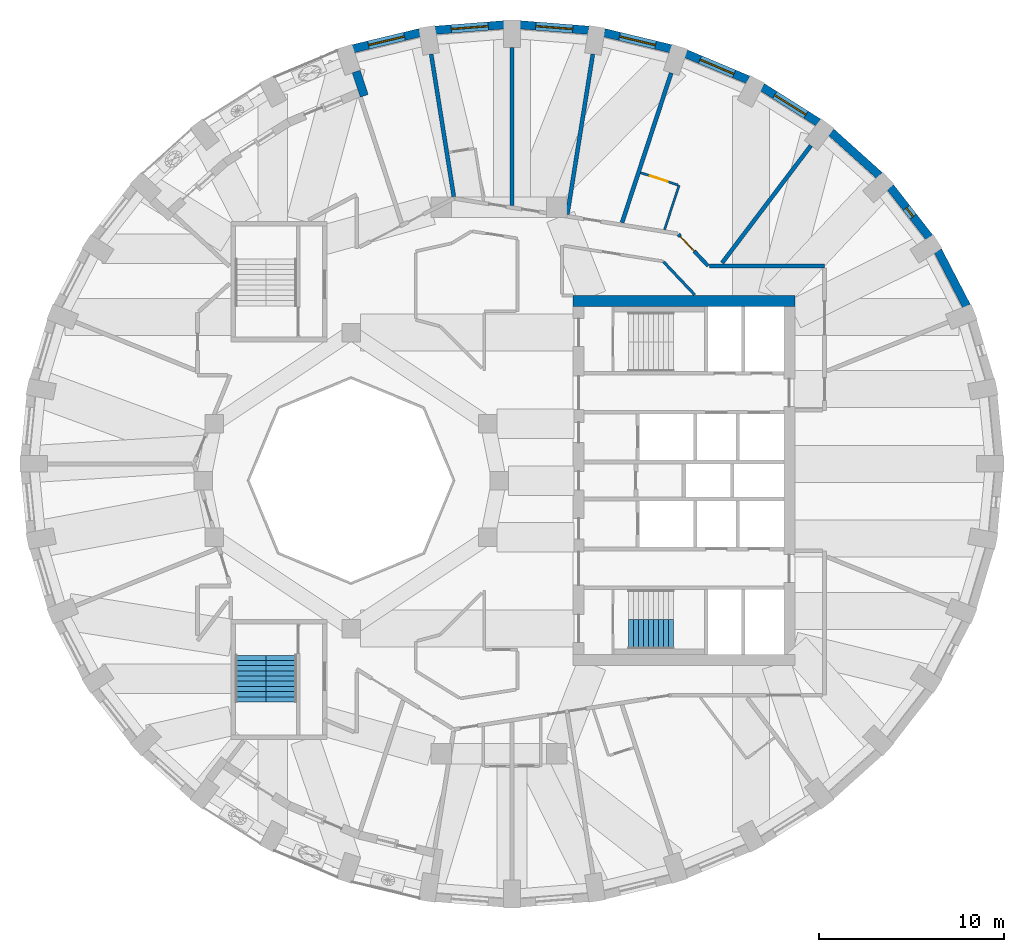
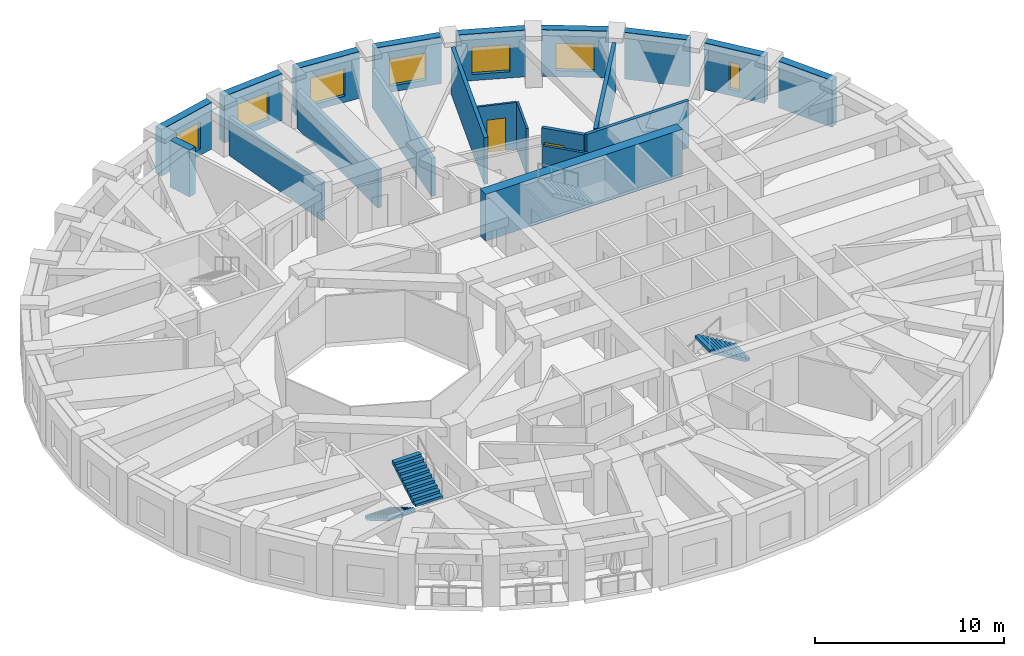
# One storey, part 8 of 12: 21 walls, 7 windows, 3 stair flights, 2 doors, 9 openings, 2 elements without a shape of their own.
"""IFC4 building model written with IfcOpenShell, lengths in metres."""

from ifc_helpers import new_model, si_unit, direction, frame, frame_2d, origin, place, context, subcontext, project, spatial, polyline, rectangle, outline, extrude, material, layer, layer_set, type_object, element, fill, aggregate, save


model = new_model("IFC4")

# Units and contexts
model_context = context("Model", 3, precision=1e-05, world=origin(), true_north=direction((0.0, 1.0)))
body_context = subcontext(model_context, "Body", "Model", "MODEL_VIEW")
ifc_project = project(units=[si_unit("LENGTHUNIT", "METRE"), si_unit("AREAUNIT", "SQUARE_METRE"), si_unit("VOLUMEUNIT", "CUBIC_METRE"), si_unit("PLANEANGLEUNIT", "RADIAN"), si_unit("MASSUNIT", "GRAM", prefix="KILO")], contexts=[model_context])

# Site, building, storey
site_placement = place(None, origin())
site = spatial("IfcSite", under=ifc_project, at=site_placement, CompositionType="ELEMENT")
building_placement = place(site_placement, origin())
building = spatial("IfcBuilding", under=site, at=building_placement, Name="Taillehof Tower", CompositionType="ELEMENT")
storey_placement = place(building_placement, frame((0.0, 0.0, 215.60009765625)))
storey = spatial("IfcBuildingStorey", under=building, at=storey_placement, Name="L61", CompositionType="ELEMENT", Elevation=215.60009765625)

# Wall
ifc_material_1 = material(Name="Brick masonry", Category="masonry")
ifc_layer_1 = layer(ifc_material_1, 0.449951171875)
ifc_layer_set_1 = layer_set([ifc_layer_1], Name="Brick infill wall 450")
wall_type_1 = type_object("IfcWallType", Name="Brick infill wall 450", PredefinedType="SOLIDWALL", material=ifc_layer_set_1)
wall_1_placement = place(storey_placement, frame((25.278076171875, 9.431640625, 0.0), z_axis=(0.0, 0.0, 1.0), x_axis=(-0.460175500475, 0.887827972505, 0.0)))
element("IfcWall", 1, at=wall_1_placement, inside=storey, type_object=wall_type_1, Name="Brick wall L61 bay 3", PredefinedType="SOLIDWALL", context=body_context, shape_type="SweptSolid", body=[
    extrude(rectangle(XDim=3.37060546875, YDim=0.449951171875, at=frame_2d((1.685302734375, 0.0))), origin(), (0.0, 0.0, 1.0), 3.02001953125),
])

# Wall, opening, window
wall_2_placement = place(storey_placement, frame((23.262939453125, 13.148193359375, 0.0), z_axis=(0.0, 0.0, 1.0), x_axis=(-0.614220816451, 0.789134201919, 0.0)))
wall_2 = element("IfcWall", 2, at=wall_2_placement, inside=storey, type_object=wall_type_1, Name="Brick wall L61 bay 4", PredefinedType="SOLIDWALL", context=body_context, shape_type="SweptSolid", body=[
    extrude(rectangle(XDim=3.437744140625, YDim=0.449951171875, at=frame_2d((1.71875, 0.0))), origin(), (0.0, 0.0, 1.0), 3.02001953125),
])
opening_1_placement = place(wall_2_placement, frame((1.4189453125, 0.0, 0.39990234375)))
opening_1 = element("IfcOpeningElement", 3, at=opening_1_placement, cuts=wall_2, Name="Opening W6", PredefinedType="OPENING", context=body_context, shape_type="SweptSolid", body=[
    extrude(rectangle(XDim=0.60009765625, YDim=1.75, at=frame_2d((0.300048828125, 0.875))), frame((0.0, 0.23486328125, 0.0), z_axis=(0.0, -1.0, 0.0), x_axis=(1.0, 0.0, 0.0)), (0.0, 0.0, 1.0), 0.469970703125),
])
ifc_material_2 = material(Name="Aluminium window frame with clear double glazing", Category="aluminium")
window_type_1 = type_object("IfcWindowType", Name="Slot window 600x1750", PartitioningType="SINGLE_PANEL", PredefinedType="WINDOW", material=ifc_material_2)
window_1_placement = place(opening_1_placement, origin())
window_1 = element("IfcWindow", 4, at=window_1_placement, inside=storey, type_object=window_type_1, Name="W6", OverallHeight=1.75, OverallWidth=0.60009765625, PartitioningType="SINGLE_PANEL", PredefinedType="WINDOW", context=body_context, shape_type="SweptSolid", body=[
    extrude(rectangle(XDim=0.60009765625, YDim=1.75, at=frame_2d((0.300048828125, 0.875))), frame((0.0, 0.034912109375, 0.0), z_axis=(0.0, -1.0, 0.0), x_axis=(1.0, 0.0, 0.0)), (0.0, 0.0, 1.0), 0.06005859375),
])
fill(opening_1, window_1)

# Wall
wall_3_placement = place(storey_placement, frame((20.56494140625, 16.490478515625, 0.0), z_axis=(0.0, 0.0, 1.0), x_axis=(-0.743442727602, 0.668799604348, 0.0)))
element("IfcWall", 5, at=wall_3_placement, inside=storey, type_object=wall_type_1, Name="Brick wall L61 bay 5", PredefinedType="SOLIDWALL", context=body_context, shape_type="SweptSolid", body=[
    extrude(rectangle(XDim=3.5126953125, YDim=0.449951171875, at=frame_2d((1.75634765625, 0.0))), origin(), (0.0, 0.0, 1.0), 3.02001953125),
])

# Wall, opening, window
wall_4_placement = place(storey_placement, frame((17.26708984375, 19.3583984375, 0.0), z_axis=(0.0, 0.0, 1.0), x_axis=(-0.846119146727, 0.532993798783, 0.0)))
wall_4 = element("IfcWall", 6, at=wall_4_placement, inside=storey, type_object=wall_type_1, Name="Brick wall L61 bay 6", PredefinedType="SOLIDWALL", context=body_context, shape_type="SweptSolid", body=[
    extrude(rectangle(XDim=3.586669921875, YDim=0.449951171875, at=frame_2d((1.79345703125, 0.0))), origin(), (0.0, 0.0, 1.0), 3.02001953125),
])
opening_2_placement = place(wall_4_placement, frame((0.79345703125, 0.0, 0.39990234375)))
opening_2 = element("IfcOpeningElement", 7, at=opening_2_placement, cuts=wall_4, Name="Opening W2", PredefinedType="OPENING", context=body_context, shape_type="SweptSolid", body=[
    extrude(rectangle(XDim=2.0, YDim=1.75, at=frame_2d((1.0, 0.875))), frame((0.0, 0.23486328125, 0.0), z_axis=(0.0, -1.0, 0.0), x_axis=(1.0, 0.0, 0.0)), (0.0, 0.0, 1.0), 0.469970703125),
])
ifc_material_3 = material(Name="Aluminium window frame with clear double glazing", Category="aluminium")
window_type_2 = type_object("IfcWindowType", Name="Deep-set window 2000x1750", PartitioningType="SINGLE_PANEL", PredefinedType="WINDOW", material=ifc_material_3)
window_2_placement = place(opening_2_placement, origin())
window_2 = element("IfcWindow", 8, at=window_2_placement, inside=storey, type_object=window_type_2, Name="W2", OverallHeight=1.75, OverallWidth=2.0, PartitioningType="SINGLE_PANEL", PredefinedType="WINDOW", context=body_context, shape_type="SweptSolid", body=[
    extrude(rectangle(XDim=2.0, YDim=1.75, at=frame_2d((1.0, 0.875))), frame((0.0, 0.034912109375, 0.0), z_axis=(0.0, -1.0, 0.0), x_axis=(1.0, 0.0, 0.0)), (0.0, 0.0, 1.0), 0.06005859375),
])
fill(opening_2, window_2)

wall_5_placement = place(storey_placement, frame((13.46923828125, 21.6669921875, 0.0), z_axis=(0.0, 0.0, 1.0), x_axis=(-0.922168222612, 0.386789050006, 0.0)))
wall_5 = element("IfcWall", 9, at=wall_5_placement, inside=storey, type_object=wall_type_1, Name="Brick wall L61 bay 7", PredefinedType="SOLIDWALL", context=body_context, shape_type="SweptSolid", body=[
    extrude(rectangle(XDim=3.65087890625, YDim=0.449951171875, at=frame_2d((1.825439453125, 0.0))), origin(), (0.0, 0.0, 1.0), 3.02001953125),
])
opening_3_placement = place(wall_5_placement, frame((0.825439453125, 0.0, 0.39990234375)))
opening_3 = element("IfcOpeningElement", 10, at=opening_3_placement, cuts=wall_5, Name="Opening W2", PredefinedType="OPENING", context=body_context, shape_type="SweptSolid", body=[
    extrude(rectangle(XDim=2.0, YDim=1.75, at=frame_2d((1.0, 0.875))), frame((0.0, 0.23486328125, 0.0), z_axis=(0.0, -1.0, 0.0), x_axis=(1.0, 0.0, 0.0)), (0.0, 0.0, 1.0), 0.469970703125),
])
window_3_placement = place(opening_3_placement, origin())
window_3 = element("IfcWindow", 11, at=window_3_placement, inside=storey, type_object=window_type_2, Name="W2", OverallHeight=1.75, OverallWidth=2.0, PartitioningType="SINGLE_PANEL", PredefinedType="WINDOW", context=body_context, shape_type="SweptSolid", body=[
    extrude(rectangle(XDim=2.0, YDim=1.75, at=frame_2d((1.0, 0.875))), frame((0.0, 0.034912109375, 0.0), z_axis=(0.0, -1.0, 0.0), x_axis=(1.0, 0.0, 0.0)), (0.0, 0.0, 1.0), 0.06005859375),
])
fill(opening_3, window_3)

wall_6_placement = place(storey_placement, frame((9.285400390625, 23.34716796875, 0.0), z_axis=(0.0, 0.0, 1.0), x_axis=(-0.972173533246, 0.234261864708, 0.0)))
wall_6 = element("IfcWall", 12, at=wall_6_placement, inside=storey, type_object=wall_type_1, Name="Brick wall L61 bay 8", PredefinedType="SOLIDWALL", context=body_context, shape_type="SweptSolid", body=[
    extrude(rectangle(XDim=3.697509765625, YDim=0.449951171875, at=frame_2d((1.8486328125, 0.0))), origin(), (0.0, 0.0, 1.0), 3.02001953125),
])
opening_4_placement = place(wall_6_placement, frame((0.848876953125, 0.0, 0.39990234375)))
opening_4 = element("IfcOpeningElement", 13, at=opening_4_placement, cuts=wall_6, Name="Opening W2", PredefinedType="OPENING", context=body_context, shape_type="SweptSolid", body=[
    extrude(rectangle(XDim=2.0, YDim=1.75, at=frame_2d((1.0, 0.875))), frame((0.0, 0.23486328125, 0.0), z_axis=(0.0, -1.0, 0.0), x_axis=(1.0, 0.0, 0.0)), (0.0, 0.0, 1.0), 0.469970703125),
])
window_4_placement = place(opening_4_placement, origin())
window_4 = element("IfcWindow", 14, at=window_4_placement, inside=storey, type_object=window_type_2, Name="W2", OverallHeight=1.75, OverallWidth=2.0, PartitioningType="SINGLE_PANEL", PredefinedType="WINDOW", context=body_context, shape_type="SweptSolid", body=[
    extrude(rectangle(XDim=2.0, YDim=1.75, at=frame_2d((1.0, 0.875))), frame((0.0, 0.034912109375, 0.0), z_axis=(0.0, -1.0, 0.0), x_axis=(1.0, 0.0, 0.0)), (0.0, 0.0, 1.0), 0.06005859375),
])
fill(opening_4, window_4)

wall_7_placement = place(storey_placement, frame((4.841064453125, 24.348388671875, 0.0), z_axis=(0.0, 0.0, 1.0), x_axis=(-0.996918697878, 0.078441760701, 0.0)))
wall_7 = element("IfcWall", 15, at=wall_7_placement, inside=storey, type_object=wall_type_1, Name="Brick wall L61 bay 9", PredefinedType="SOLIDWALL", context=body_context, shape_type="SweptSolid", body=[
    extrude(rectangle(XDim=3.722412109375, YDim=0.449951171875, at=frame_2d((1.861328125, 0.0))), origin(), (0.0, 0.0, 1.0), 3.02001953125),
])
opening_5_placement = place(wall_7_placement, frame((0.861328125, 0.0, 0.39990234375)))
opening_5 = element("IfcOpeningElement", 16, at=opening_5_placement, cuts=wall_7, Name="Opening W2", PredefinedType="OPENING", context=body_context, shape_type="SweptSolid", body=[
    extrude(rectangle(XDim=2.0, YDim=1.75, at=frame_2d((1.0, 0.875))), frame((0.0, 0.23486328125, 0.0), z_axis=(0.0, -1.0, 0.0), x_axis=(1.0, 0.0, 0.0)), (0.0, 0.0, 1.0), 0.469970703125),
])
window_5_placement = place(opening_5_placement, origin())
window_5 = element("IfcWindow", 17, at=window_5_placement, inside=storey, type_object=window_type_2, Name="W2", OverallHeight=1.75, OverallWidth=2.0, PartitioningType="SINGLE_PANEL", PredefinedType="WINDOW", context=body_context, shape_type="SweptSolid", body=[
    extrude(rectangle(XDim=2.0, YDim=1.75, at=frame_2d((1.0, 0.875))), frame((0.0, 0.034912109375, 0.0), z_axis=(0.0, -1.0, 0.0), x_axis=(1.0, 0.0, 0.0)), (0.0, 0.0, 1.0), 0.06005859375),
])
fill(opening_5, window_5)

wall_8_placement = place(storey_placement, frame((0.27001953125, 24.640380859375, 0.0), z_axis=(0.0, 0.0, 1.0), x_axis=(-0.996919101401, -0.078436632148, 0.0)))
wall_8 = element("IfcWall", 18, at=wall_8_placement, inside=storey, type_object=wall_type_1, Name="Brick wall L61 bay 10", PredefinedType="SOLIDWALL", context=body_context, shape_type="SweptSolid", body=[
    extrude(rectangle(XDim=3.72265625, YDim=0.449951171875, at=frame_2d((1.861328125, 0.0))), origin(), (0.0, 0.0, 1.0), 3.02001953125),
])
opening_6_placement = place(wall_8_placement, frame((0.861328125, 0.0, 0.39990234375)))
opening_6 = element("IfcOpeningElement", 19, at=opening_6_placement, cuts=wall_8, Name="Opening W2", PredefinedType="OPENING", context=body_context, shape_type="SweptSolid", body=[
    extrude(rectangle(XDim=2.0, YDim=1.75, at=frame_2d((1.0, 0.875))), frame((0.0, 0.23486328125, 0.0), z_axis=(0.0, -1.0, 0.0), x_axis=(1.0, 0.0, 0.0)), (0.0, 0.0, 1.0), 0.469970703125),
])
window_6_placement = place(opening_6_placement, origin())
window_6 = element("IfcWindow", 20, at=window_6_placement, inside=storey, type_object=window_type_2, Name="W2", OverallHeight=1.75, OverallWidth=2.0, PartitioningType="SINGLE_PANEL", PredefinedType="WINDOW", context=body_context, shape_type="SweptSolid", body=[
    extrude(rectangle(XDim=2.0, YDim=1.75, at=frame_2d((1.0, 0.875))), frame((0.0, 0.034912109375, 0.0), z_axis=(0.0, -1.0, 0.0), x_axis=(1.0, 0.0, 0.0)), (0.0, 0.0, 1.0), 0.06005859375),
])
fill(opening_6, window_6)

wall_9_placement = place(storey_placement, frame((-4.29052734375, 24.21337890625, 0.0), z_axis=(0.0, 0.0, 1.0), x_axis=(-0.972173533246, -0.234261864708, 0.0)))
wall_9 = element("IfcWall", 21, at=wall_9_placement, inside=storey, type_object=wall_type_1, Name="Brick wall L61 bay 11", PredefinedType="SOLIDWALL", context=body_context, shape_type="SweptSolid", body=[
    extrude(rectangle(XDim=3.697509765625, YDim=0.449951171875, at=frame_2d((1.8486328125, 0.0))), origin(), (0.0, 0.0, 1.0), 3.02001953125),
])
opening_7_placement = place(wall_9_placement, frame((0.848876953125, 0.0, 0.39990234375)))
opening_7 = element("IfcOpeningElement", 22, at=opening_7_placement, cuts=wall_9, Name="Opening W2", PredefinedType="OPENING", context=body_context, shape_type="SweptSolid", body=[
    extrude(rectangle(XDim=2.0, YDim=1.75, at=frame_2d((1.0, 0.875))), frame((0.0, 0.23486328125, 0.0), z_axis=(0.0, -1.0, 0.0), x_axis=(1.0, 0.0, 0.0)), (0.0, 0.0, 1.0), 0.469970703125),
])
window_7_placement = place(opening_7_placement, origin())
window_7 = element("IfcWindow", 23, at=window_7_placement, inside=storey, type_object=window_type_2, Name="W2", OverallHeight=1.75, OverallWidth=2.0, PartitioningType="SINGLE_PANEL", PredefinedType="WINDOW", context=body_context, shape_type="SweptSolid", body=[
    extrude(rectangle(XDim=2.0, YDim=1.75, at=frame_2d((1.0, 0.875))), frame((0.0, 0.034912109375, 0.0), z_axis=(0.0, -1.0, 0.0), x_axis=(1.0, 0.0, 0.0)), (0.0, 0.0, 1.0), 0.06005859375),
])
fill(opening_7, window_7)

# Wall
wall_10_placement = place(storey_placement, frame((-7.722412109375, 22.116943359375, 0.0), z_axis=(0.0, 0.0, 1.0), x_axis=(0.312062715826, -0.950061504005, 0.0)))
element("IfcWall", 24, at=wall_10_placement, inside=storey, type_object=wall_type_1, Name="Brick reveal L61 pocket 3", PredefinedType="SOLIDWALL", context=body_context, shape_type="SweptSolid", body=[
    extrude(rectangle(XDim=1.39013671875, YDim=0.449951171875, at=frame_2d((0.695068359375, 0.0))), origin(), (0.0, 0.0, 1.0), 3.02001953125),
])

# Wall, opening, door
ifc_material_4 = material(Name="Gypsum board on steel studs, two layers each side", Category="steel")
ifc_layer_2 = layer(ifc_material_4, 0.199951171875)
ifc_layer_set_2 = layer_set([ifc_layer_2], Name="Compartment wall corridor 200")
wall_type_2 = type_object("IfcWallType", Name="Compartment wall corridor 200", PredefinedType="PARTITIONING", material=ifc_layer_set_2)
wall_11_placement = place(storey_placement, frame((9.6982421875, 13.303955078125, 0.0), z_axis=(0.0, 0.0, 1.0), x_axis=(0.686553169295, -0.727079600684, 0.0)))
wall_11 = element("IfcWall", 25, at=wall_11_placement, inside=storey, type_object=wall_type_2, Name="Compartment wall", PredefinedType="PARTITIONING", context=body_context, shape_type="SweptSolid", body=[
    extrude(rectangle(XDim=2.343505859375, YDim=0.199951171875, at=frame_2d((1.171875, 0.0))), origin(), (0.0, 0.0, 1.0), 3.02001953125),
])
opening_8_placement = place(wall_11_placement, frame((0.139892578125, 0.0, 0.0)))
opening_8 = element("IfcOpeningElement", 26, at=opening_8_placement, cuts=wall_11, Name="Opening D6140", PredefinedType="OPENING", context=body_context, shape_type="SweptSolid", body=[
    extrude(rectangle(XDim=1.10009765625, YDim=2.10009765625, at=frame_2d((0.550048828125, 1.050048828125))), frame((0.0, 0.10986328125, 0.0), z_axis=(0.0, -1.0, 0.0), x_axis=(1.0, 0.0, 0.0)), (0.0, 0.0, 1.0), 0.219970703125),
])
ifc_material_5 = material(Name="Timber door leaf in steel frame", Category="steel")
door_type_1 = type_object("IfcDoorType", Name="Accessible guest room door EI 30 1100 x 2100", OperationType="SINGLE_SWING_LEFT", PredefinedType="DOOR", material=ifc_material_5)
door_1_placement = place(opening_8_placement, origin())
door_1 = element("IfcDoor", 27, at=door_1_placement, inside=storey, type_object=door_type_1, Name="D6140", OperationType="SINGLE_SWING_RIGHT", OverallHeight=2.10009765625, OverallWidth=1.10009765625, PredefinedType="DOOR", context=body_context, shape_type="SweptSolid", body=[
    extrude(rectangle(XDim=1.10009765625, YDim=2.10009765625, at=frame_2d((0.550048828125, 1.050048828125))), frame((0.0, 0.02490234375, 0.0), z_axis=(0.0, -1.0, 0.0), x_axis=(1.0, 0.0, 0.0)), (0.0, 0.0, 1.0), 0.050048828125),
])
fill(opening_8, door_1)

# Walls
wall_12_placement = place(storey_placement, frame((11.38720703125, 11.60009765625, 0.0), z_axis=(0.0, 0.0, 1.0), x_axis=(1.0, 0.0, 0.0)))
element("IfcWall", 28, at=wall_12_placement, inside=storey, type_object=wall_type_2, Name="Compartment wall", PredefinedType="PARTITIONING", context=body_context, shape_type="SweptSolid", body=[
    extrude(rectangle(XDim=6.212890625, YDim=0.199951171875, at=frame_2d((3.1064453125, 0.0))), origin(), (0.0, 0.0, 1.0), 3.02001953125),
])
ifc_material_6 = material(Name="Gypsum board on double steel studs with mineral wool", Category="steel")
ifc_layer_3 = layer(ifc_material_6, 0.219970703125)
ifc_layer_set_3 = layer_set([ifc_layer_3], Name="Compartment wall guest room 220")
wall_type_3 = type_object("IfcWallType", Name="Compartment wall guest room 220", PredefinedType="PARTITIONING", material=ifc_layer_set_3)
wall_13_placement = place(storey_placement, frame((16.86328125, 18.112548828125, 0.0), z_axis=(0.0, 0.0, 1.0), x_axis=(-0.603628639054, -0.797265618294, 0.0)))
element("IfcWall", 29, at=wall_13_placement, inside=storey, type_object=wall_type_3, Name="Compartment wall", PredefinedType="PARTITIONING", context=body_context, shape_type="SweptSolid", body=[
    extrude(rectangle(XDim=7.96337890625, YDim=0.219970703125, at=frame_2d((3.981689453125, 0.0))), origin(), (0.0, 0.0, 1.0), 3.02001953125),
])
wall_14_placement = place(storey_placement, frame((9.30712890625, 22.035400390625, 0.0), z_axis=(0.0, 0.0, 1.0), x_axis=(-0.311959631661, -0.950095357432, 0.0)))
element("IfcWall", 30, at=wall_14_placement, inside=storey, type_object=wall_type_3, Name="Compartment wall", PredefinedType="PARTITIONING", context=body_context, shape_type="SweptSolid", body=[
    extrude(rectangle(XDim=8.517822265625, YDim=0.219970703125, at=frame_2d((4.2587890625, 0.0))), origin(), (0.0, 0.0, 1.0), 3.02001953125),
])
wall_15_placement = place(storey_placement, frame((5.071044921875, 23.05615234375, 0.0), z_axis=(0.0, 0.0, 1.0), x_axis=(-0.157127996446, -0.987578246385, 0.0)))
element("IfcWall", 31, at=wall_15_placement, inside=storey, type_object=wall_type_3, Name="Compartment wall", PredefinedType="PARTITIONING", context=body_context, shape_type="SweptSolid", body=[
    extrude(rectangle(XDim=8.77734375, YDim=0.219970703125, at=frame_2d((4.388671875, 0.0))), origin(), (0.0, 0.0, 1.0), 2.469970703125),
])
wall_16_placement = place(storey_placement, frame((0.699951171875, 23.39990234375, 0.0), z_axis=(0.0, 0.0, 1.0), x_axis=(0.0, -1.0, 0.0)))
element("IfcWall", 32, at=wall_16_placement, inside=storey, type_object=wall_type_3, Name="Compartment wall", PredefinedType="PARTITIONING", context=body_context, shape_type="SweptSolid", body=[
    extrude(rectangle(XDim=8.52099609375, YDim=0.219970703125, at=frame_2d((4.260498046875, 0.0))), origin(), (0.0, 0.0, 1.0), 2.469970703125),
])
wall_17_placement = place(storey_placement, frame((-3.6708984375, 23.05615234375, 0.0), z_axis=(0.0, 0.0, 1.0), x_axis=(0.157092158108, -0.987583947754, 0.0)))
element("IfcWall", 33, at=wall_17_placement, inside=storey, type_object=wall_type_3, Name="Compartment wall", PredefinedType="PARTITIONING", context=body_context, shape_type="SweptSolid", body=[
    extrude(rectangle(XDim=7.8017578125, YDim=0.219970703125, at=frame_2d((3.90087890625, 0.0))), origin(), (0.0, 0.0, 1.0), 2.469970703125),
])
ifc_material_7 = material(Name="Gypsum board on steel studs, two layers each side", Category="steel")
ifc_layer_4 = layer(ifc_material_7, 0.14990234375)
ifc_layer_set_4 = layer_set([ifc_layer_4], Name="Compartment wall service room 150")
wall_type_4 = type_object("IfcWallType", Name="Compartment wall service room 150", PredefinedType="PARTITIONING", material=ifc_layer_set_4)
wall_18_placement = place(storey_placement, frame((8.896240234375, 11.822998046875, 0.0), z_axis=(0.0, 0.0, 1.0), x_axis=(0.686471254033, -0.727156941373, 0.0)))
element("IfcWall", 34, at=wall_18_placement, inside=storey, type_object=wall_type_4, Name="Compartment wall", PredefinedType="PARTITIONING", context=body_context, shape_type="SweptSolid", body=[
    extrude(rectangle(XDim=2.4482421875, YDim=0.14990234375, at=frame_2d((1.22412109375, 0.0))), origin(), (0.0, 0.0, 1.0), 3.02001953125),
])
ifc_material_8 = material(Name="Concrete C80/95", Category="concrete")
ifc_layer_5 = layer(ifc_material_8, 0.60009765625)
ifc_layer_set_5 = layer_set([ifc_layer_5], Name="Core wall C80/95 600")
wall_type_5 = type_object("IfcWallType", Name="Core wall C80/95 600", PredefinedType="SHEAR", material=ifc_layer_set_5)
wall_19_placement = place(storey_placement, frame((4.0, 9.699951171875, 0.0), z_axis=(0.0, 0.0, 1.0), x_axis=(1.0, 0.0, 0.0)))
element("IfcWall", 35, at=wall_19_placement, inside=storey, type_object=wall_type_5, Name="Core wall CW06", PredefinedType="SHEAR", context=body_context, shape_type="SweptSolid", body=[
    extrude(rectangle(XDim=12.0, YDim=0.60009765625, at=frame_2d((6.0, 0.0))), origin(), (0.0, 0.0, 1.0), 3.02001953125),
])
ifc_material_9 = material(Name="Gypsum board on steel studs, moisture resistant", Category="steel")
ifc_layer_6 = layer(ifc_material_9, 0.1201171875)
ifc_layer_set_6 = layer_set([ifc_layer_6], Name="En-suite wall 120")
wall_type_6 = type_object("IfcWallType", Name="En-suite wall 120", PredefinedType="PARTITIONING", material=ifc_layer_set_6)
wall_20_placement = place(storey_placement, frame((8.9453125, 13.561279296875, 0.0), z_axis=(0.0, 0.0, 1.0), x_axis=(0.311960021399, 0.950095229463, 0.0)))
element("IfcWall", 36, at=wall_20_placement, inside=storey, type_object=wall_type_6, Name="En-suite wall", PredefinedType="PARTITIONING", context=body_context, shape_type="SweptSolid", body=[
    extrude(rectangle(XDim=2.524658203125, YDim=0.1201171875, at=frame_2d((1.26220703125, 0.0))), origin(), (0.0, 0.0, 1.0), 3.02001953125),
])

# Wall, opening, door
wall_21_placement = place(storey_placement, frame((9.67578125, 15.97900390625, 0.0), z_axis=(0.0, 0.0, 1.0), x_axis=(-0.950106513103, 0.311925654217, 0.0)))
wall_21 = element("IfcWall", 37, at=wall_21_placement, inside=storey, type_object=wall_type_6, Name="En-suite wall", PredefinedType="PARTITIONING", context=body_context, shape_type="SweptSolid", body=[
    extrude(rectangle(XDim=2.129638671875, YDim=0.1201171875, at=frame_2d((1.06494140625, 0.0))), origin(), (0.0, 0.0, 1.0), 3.02001953125),
])
opening_9_placement = place(wall_21_placement, frame((0.58984375, 0.0, 0.0)))
opening_9 = element("IfcOpeningElement", 38, at=opening_9_placement, cuts=wall_21, Name="Opening D6141", PredefinedType="OPENING", context=body_context, shape_type="SweptSolid", body=[
    extrude(rectangle(XDim=1.0, YDim=2.10009765625, at=frame_2d((0.5, 1.050048828125))), frame((0.0, 0.070068359375, 0.0), z_axis=(0.0, -1.0, 0.0), x_axis=(1.0, 0.0, 0.0)), (0.0, 0.0, 1.0), 0.14013671875),
])
ifc_material_10 = material(Name="Timber door leaf in steel frame", Category="steel")
door_type_2 = type_object("IfcDoorType", Name="Accessible en-suite door 1000 x 2100", OperationType="SINGLE_SWING_LEFT", PredefinedType="DOOR", material=ifc_material_10)
door_2_placement = place(opening_9_placement, origin())
door_2 = element("IfcDoor", 39, at=door_2_placement, inside=storey, type_object=door_type_2, Name="D6141", OperationType="SINGLE_SWING_LEFT", OverallHeight=2.10009765625, OverallWidth=1.0, PredefinedType="DOOR", context=body_context, shape_type="SweptSolid", body=[
    extrude(rectangle(XDim=1.0, YDim=2.10009765625, at=frame_2d((0.5, 1.050048828125))), frame((0.0, 0.02490234375, 0.0), z_axis=(0.0, -1.0, 0.0), x_axis=(1.0, 0.0, 0.0)), (0.0, 0.0, 1.0), 0.050048828125),
])
fill(opening_9, door_2)

# Stair, stair flight
ifc_material_11 = material(Name="Concrete C40/50", Category="concrete")
stair_type = type_object("IfcStairType", Name="Exit stair half-turn", PredefinedType="HALF_TURN_STAIR", material=ifc_material_11)
stair_1_placement = place(storey_placement, origin())
stair_1 = element("IfcStair", 40, at=stair_1_placement, inside=storey, type_object=stair_type, Name="Exit stair S2", PredefinedType="HALF_TURN_STAIR")
ifc_material_12 = material(Name="Concrete C40/50", Category="concrete")
stair_flight_type_1 = type_object("IfcStairFlightType", Name="Stair flight 1600 riser 165.0 going 270", PredefinedType="STRAIGHT", material=ifc_material_12)
stair_flight_1_placement = place(storey_placement, frame((9.429931640625, -8.300048828125, 1.64990234375), z_axis=(0.0, 0.0, 1.0), x_axis=(-1.0, 0.0, 0.0)))
stair_flight_1 = element("IfcStairFlight", 41, at=stair_flight_1_placement, type_object=stair_flight_type_1, Name="S2 flight 2", NumberOfRisers=10, NumberOfTreads=9, PredefinedType="STRAIGHT", RiserHeight=0.165, TreadLength=0.27, context=body_context, shape_type="SweptSolid", body=[
    extrude(outline(polyline([(0.0, 0.0), (0.0, 0.00537109375), (0.0, 0.0107421875), (0.0, 0.015869140625), (0.0, 0.021240234375), (0.0, 0.026611328125), (0.0, 0.031982421875), (0.0, 0.037353515625), (0.0, 0.04248046875), (0.0, 0.0478515625), (0.0, 0.05322265625), (0.0, 0.05859375), (0.0, 0.06396484375), (0.0, 0.069091796875), (0.0, 0.074462890625), (0.0, 0.079833984375), (0.0, 0.085205078125), (0.0, 0.090576171875), (0.0, 0.095703125), (0.0, 0.10107421875), (0.0, 0.1064453125), (0.0, 0.11181640625), (0.0, 0.1171875), (0.0, 0.122314453125), (0.0, 0.127685546875), (0.0, 0.133056640625), (0.0, 0.138427734375), (0.0, 0.143798828125), (0.0, 0.14892578125), (0.0, 0.154296875), (0.0, 0.15966796875), (0.0, 0.1650390625), (0.27001953125, 0.1650390625), (0.27001953125, 0.330078125), (0.5400390625, 0.330078125), (0.5400390625, 0.4951171875), (0.81005859375, 0.4951171875), (0.81005859375, 0.659912109375), (1.080078125, 0.659912109375), (1.080078125, 0.824951171875), (1.35009765625, 0.824951171875), (1.35009765625, 0.989990234375), (1.6201171875, 0.989990234375), (1.6201171875, 1.155029296875), (1.889892578125, 1.155029296875), (1.889892578125, 1.320068359375), (2.159912109375, 1.320068359375), (2.159912109375, 1.485107421875), (2.429931640625, 1.485107421875), (2.429931640625, 1.479248046875), (2.429931640625, 1.4736328125), (2.429931640625, 1.468017578125), (2.429931640625, 1.46240234375), (2.429931640625, 1.45654296875), (2.429931640625, 1.450927734375), (2.429931640625, 1.4453125), (2.429931640625, 1.439697265625), (2.429931640625, 1.43408203125), (2.429931640625, 1.42822265625), (2.429931640625, 1.422607421875), (2.429931640625, 1.4169921875), (2.429931640625, 1.411376953125), (2.429931640625, 1.40576171875), (2.429931640625, 1.39990234375), (2.429931640625, 1.394287109375), (2.429931640625, 1.388671875), (2.429931640625, 1.383056640625), (2.429931640625, 1.37744140625), (2.429931640625, 1.37158203125), (2.429931640625, 1.365966796875), (2.429931640625, 1.3603515625), (2.429931640625, 1.354736328125), (2.429931640625, 1.348876953125), (2.429931640625, 1.34326171875), (2.429931640625, 1.337646484375), (2.429931640625, 1.33203125), (2.429931640625, 1.326416015625), (2.429931640625, 1.320556640625), (2.429931640625, 1.31494140625), (2.429931640625, 1.309326171875), (0.287353515625, 0.0), (0.0, 0.0)])), frame((0.0, 0.800048828125, 0.0), z_axis=(0.0, -1.0, 0.0), x_axis=(1.0, 0.0, 0.0)), (0.0, 0.0, 1.0), 1.6),
])
aggregate(stair_1, [stair_flight_1])

# Stair, stair flights
stair_2_placement = place(storey_placement, origin())
stair_2 = element("IfcStair", 42, at=stair_2_placement, inside=storey, type_object=stair_type, Name="Exit stair S4", PredefinedType="HALF_TURN_STAIR")
ifc_material_13 = material(Name="Concrete C40/50", Category="concrete")
stair_flight_type_2 = type_object("IfcStairFlightType", Name="Stair flight 1650 riser 165.0 going 280", PredefinedType="STRAIGHT", material=ifc_material_13)
stair_flight_2_placement = place(storey_placement, frame((-13.425048828125, -9.449951171875, 0.0), z_axis=(0.0, 0.0, 1.0), x_axis=(0.0, -1.0, 0.0)))
stair_flight_2 = element("IfcStairFlight", 43, at=stair_flight_2_placement, type_object=stair_flight_type_2, Name="S4 flight 1", NumberOfRisers=10, NumberOfTreads=9, PredefinedType="STRAIGHT", RiserHeight=0.165, TreadLength=0.28, context=body_context, shape_type="SweptSolid", body=[
    extrude(outline(polyline([(0.0, 0.0), (0.0, 0.00537109375), (0.0, 0.0107421875), (0.0, 0.015869140625), (0.0, 0.021240234375), (0.0, 0.026611328125), (0.0, 0.031982421875), (0.0, 0.037353515625), (0.0, 0.04248046875), (0.0, 0.0478515625), (0.0, 0.05322265625), (0.0, 0.05859375), (0.0, 0.06396484375), (0.0, 0.069091796875), (0.0, 0.074462890625), (0.0, 0.079833984375), (0.0, 0.085205078125), (0.0, 0.090576171875), (0.0, 0.095703125), (0.0, 0.10107421875), (0.0, 0.1064453125), (0.0, 0.11181640625), (0.0, 0.1171875), (0.0, 0.122314453125), (0.0, 0.127685546875), (0.0, 0.133056640625), (0.0, 0.138427734375), (0.0, 0.143798828125), (0.0, 0.14892578125), (0.0, 0.154296875), (0.0, 0.15966796875), (0.0, 0.1650390625), (0.280029296875, 0.1650390625), (0.280029296875, 0.330078125), (0.56005859375, 0.330078125), (0.56005859375, 0.4951171875), (0.840087890625, 0.4951171875), (0.840087890625, 0.659912109375), (1.1201171875, 0.659912109375), (1.1201171875, 0.824951171875), (1.39990234375, 0.824951171875), (1.39990234375, 0.989990234375), (1.679931640625, 0.989990234375), (1.679931640625, 1.155029296875), (1.9599609375, 1.155029296875), (1.9599609375, 1.320068359375), (2.239990234375, 1.320068359375), (2.239990234375, 1.485107421875), (2.52001953125, 1.485107421875), (2.52001953125, 1.4794921875), (2.52001953125, 1.473876953125), (2.52001953125, 1.46826171875), (2.52001953125, 1.462646484375), (2.52001953125, 1.45703125), (2.52001953125, 1.451416015625), (2.52001953125, 1.44580078125), (2.52001953125, 1.440185546875), (2.52001953125, 1.4345703125), (2.52001953125, 1.428955078125), (2.52001953125, 1.42333984375), (2.52001953125, 1.417724609375), (2.52001953125, 1.412109375), (2.52001953125, 1.406494140625), (2.52001953125, 1.40087890625), (2.52001953125, 1.395263671875), (2.52001953125, 1.3896484375), (2.52001953125, 1.384033203125), (2.52001953125, 1.37841796875), (2.52001953125, 1.372802734375), (2.52001953125, 1.3671875), (2.52001953125, 1.361572265625), (2.52001953125, 1.35595703125), (2.52001953125, 1.350341796875), (2.52001953125, 1.3447265625), (2.52001953125, 1.339111328125), (2.52001953125, 1.33349609375), (2.52001953125, 1.327880859375), (2.52001953125, 1.322265625), (2.52001953125, 1.316650390625), (2.52001953125, 1.31103515625), (0.295166015625, 0.0), (0.0, 0.0)])), frame((0.0, 0.824951171875, 0.0), z_axis=(0.0, -1.0, 0.0), x_axis=(1.0, 0.0, 0.0)), (0.0, 0.0, 1.0), 1.65),
])
stair_flight_3_placement = place(storey_placement, frame((-11.77490234375, -11.969970703125, 1.64990234375), z_axis=(0.0, 0.0, 1.0), x_axis=(0.0, 1.0, 0.0)))
stair_flight_3 = element("IfcStairFlight", 44, at=stair_flight_3_placement, type_object=stair_flight_type_2, Name="S4 flight 2", NumberOfRisers=10, NumberOfTreads=9, PredefinedType="STRAIGHT", RiserHeight=0.165, TreadLength=0.28, context=body_context, shape_type="SweptSolid", body=[
    extrude(outline(polyline([(0.0, 0.0), (0.0, 0.00537109375), (0.0, 0.0107421875), (0.0, 0.015869140625), (0.0, 0.021240234375), (0.0, 0.026611328125), (0.0, 0.031982421875), (0.0, 0.037353515625), (0.0, 0.04248046875), (0.0, 0.0478515625), (0.0, 0.05322265625), (0.0, 0.05859375), (0.0, 0.06396484375), (0.0, 0.069091796875), (0.0, 0.074462890625), (0.0, 0.079833984375), (0.0, 0.085205078125), (0.0, 0.090576171875), (0.0, 0.095703125), (0.0, 0.10107421875), (0.0, 0.1064453125), (0.0, 0.11181640625), (0.0, 0.1171875), (0.0, 0.122314453125), (0.0, 0.127685546875), (0.0, 0.133056640625), (0.0, 0.138427734375), (0.0, 0.143798828125), (0.0, 0.14892578125), (0.0, 0.154296875), (0.0, 0.15966796875), (0.0, 0.1650390625), (0.280029296875, 0.1650390625), (0.280029296875, 0.330078125), (0.56005859375, 0.330078125), (0.56005859375, 0.4951171875), (0.840087890625, 0.4951171875), (0.840087890625, 0.659912109375), (1.1201171875, 0.659912109375), (1.1201171875, 0.824951171875), (1.39990234375, 0.824951171875), (1.39990234375, 0.989990234375), (1.679931640625, 0.989990234375), (1.679931640625, 1.155029296875), (1.9599609375, 1.155029296875), (1.9599609375, 1.320068359375), (2.239990234375, 1.320068359375), (2.239990234375, 1.485107421875), (2.52001953125, 1.485107421875), (2.52001953125, 1.4794921875), (2.52001953125, 1.473876953125), (2.52001953125, 1.46826171875), (2.52001953125, 1.462646484375), (2.52001953125, 1.45703125), (2.52001953125, 1.451416015625), (2.52001953125, 1.44580078125), (2.52001953125, 1.440185546875), (2.52001953125, 1.4345703125), (2.52001953125, 1.428955078125), (2.52001953125, 1.42333984375), (2.52001953125, 1.417724609375), (2.52001953125, 1.412109375), (2.52001953125, 1.406494140625), (2.52001953125, 1.40087890625), (2.52001953125, 1.395263671875), (2.52001953125, 1.3896484375), (2.52001953125, 1.384033203125), (2.52001953125, 1.37841796875), (2.52001953125, 1.372802734375), (2.52001953125, 1.3671875), (2.52001953125, 1.361572265625), (2.52001953125, 1.35595703125), (2.52001953125, 1.350341796875), (2.52001953125, 1.3447265625), (2.52001953125, 1.339111328125), (2.52001953125, 1.33349609375), (2.52001953125, 1.327880859375), (2.52001953125, 1.322265625), (2.52001953125, 1.316650390625), (2.52001953125, 1.31103515625), (0.295166015625, 0.0), (0.0, 0.0)])), frame((0.0, 0.824951171875, 0.0), z_axis=(0.0, -1.0, 0.0), x_axis=(1.0, 0.0, 0.0)), (0.0, 0.0, 1.0), 1.65),
])
aggregate(stair_2, [stair_flight_2, stair_flight_3])

save(model, "model.ifc")
